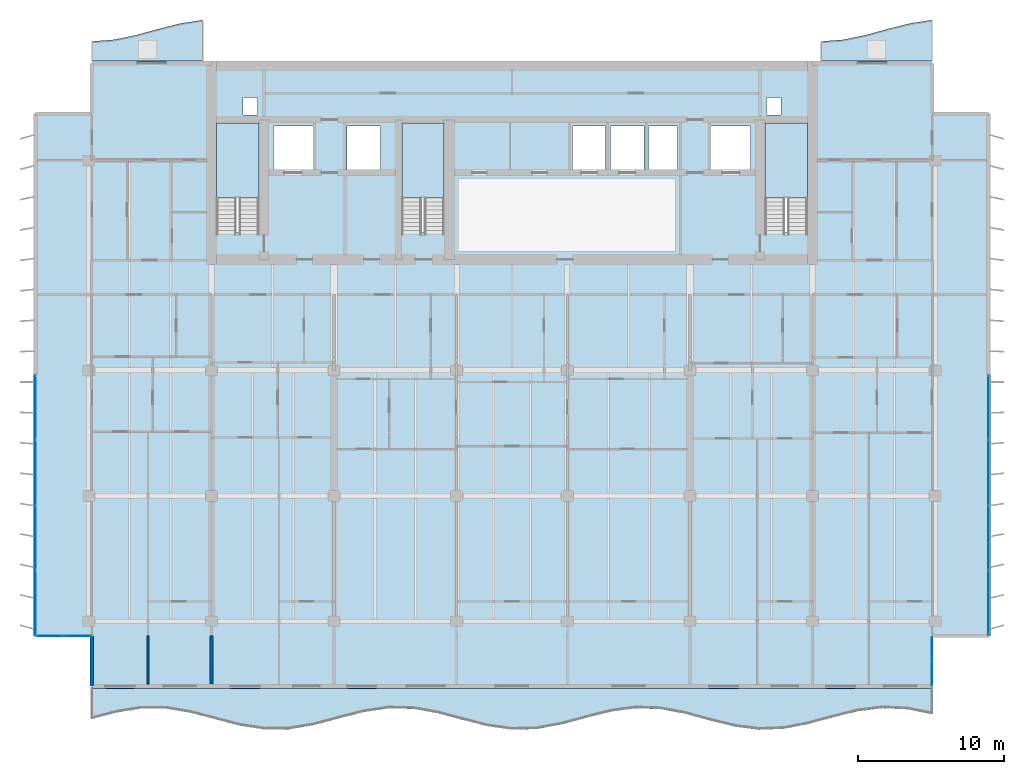
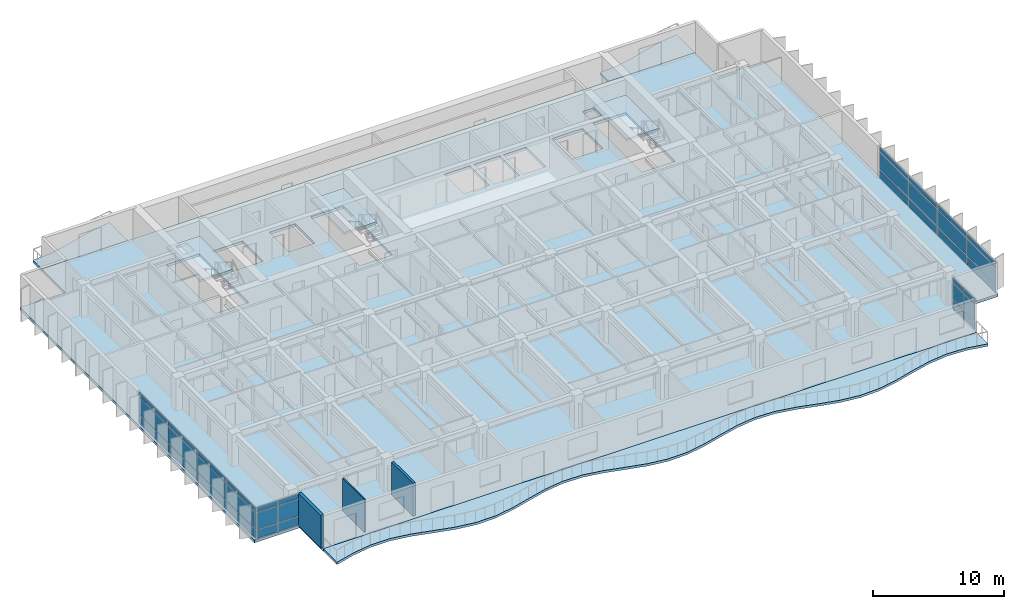
# One storey, part 7 of 18: 36 plates, 7 slabs, 3 walls, 7 elements without a shape of their own.
"""IFC4 building model written with IfcOpenShell, lengths in metres."""

from ifc_helpers import new_model, si_unit, direction, frame, frame_2d, origin, origin_2d, place, context, subcontext, project, spatial, polyline, rectangle, outline, extrude, material, layer, layer_set, type_object, element, aggregate, save


model = new_model("IFC4")

# Units and contexts
model_context = context("Model", 3, precision=1e-05, world=origin(), true_north=direction((0.0, 1.0)))
body_context = subcontext(model_context, "Body", "Model", "MODEL_VIEW")
ifc_project = project(units=[si_unit("LENGTHUNIT", "METRE"), si_unit("AREAUNIT", "SQUARE_METRE"), si_unit("VOLUMEUNIT", "CUBIC_METRE"), si_unit("PLANEANGLEUNIT", "RADIAN"), si_unit("MASSUNIT", "GRAM", prefix="KILO")], contexts=[model_context])

# Site, building, storey
site_placement = place(None, origin())
site = spatial("IfcSite", under=ifc_project, at=site_placement, CompositionType="ELEMENT")
building_placement = place(site_placement, origin())
building = spatial("IfcBuilding", under=site, at=building_placement, Name="Caelmar Bay Residences", CompositionType="ELEMENT")
storey_placement = place(building_placement, frame((0.0, 0.0, 173.699951171875)))
storey = spatial("IfcBuildingStorey", under=building, at=storey_placement, Name="L48", CompositionType="ELEMENT", Elevation=173.699951171875)

# Curtain wall, plates
ifc_material_1 = material(Name="Anodised bronze aluminium 6063-T6 and laminated glass", Category="aluminium")
ifc_layer_1 = layer(ifc_material_1, 0.179931640625)
ifc_layer_set_1 = layer_set([ifc_layer_1], Name="Anodised bronze aluminium 6063-T6 and laminated glass")
curtain_wall_type_1 = type_object("IfcCurtainWallType", Name="CW6-NTC", PredefinedType="NOTDEFINED", material=ifc_layer_set_1)
curtain_wall_1_placement = place(storey_placement, origin())
curtain_wall_1 = element("IfcCurtainWall", 1, at=curtain_wall_1_placement, inside=storey, type_object=curtain_wall_type_1, Name="CW6 curtain wall L48", PredefinedType="NOTDEFINED")
ifc_material_2 = material(Name="Bronze-tinted laminated low-E hurricane glass 28 mm", Category="glass")
ifc_layer_2 = layer(ifc_material_2, 0.028076171875)
ifc_layer_set_2 = layer_set([ifc_layer_2], Name="Bronze-tinted laminated low-E hurricane glass 28 mm")
plate_type = type_object("IfcPlateType", Name="CWP-GLZ28", PredefinedType="CURTAIN_PANEL", material=ifc_layer_set_2)
plate_1_placement = place(storey_placement, frame((7.232421875, 11.199951171875, 0.080078125), z_axis=(0.0, 0.0, 1.0), x_axis=(1.0, 0.0, 0.0)))
plate_1 = element("IfcPlate", 2, at=plate_1_placement, type_object=plate_type, Name="CW6 panel 1.1", PredefinedType="CURTAIN_PANEL", context=body_context, shape_type="SweptSolid", body=[
    extrude(rectangle(XDim=1.804931640625, YDim=0.028076171875, at=origin_2d()), origin(), (0.0, 0.0, 1.0), 0.780029296875),
])
plate_2_placement = place(storey_placement, frame((7.232421875, 11.199951171875, 0.93994140625), z_axis=(0.0, 0.0, 1.0), x_axis=(1.0, 0.0, 0.0)))
plate_2 = element("IfcPlate", 3, at=plate_2_placement, type_object=plate_type, Name="CW6 panel 1.2", PredefinedType="CURTAIN_PANEL", context=body_context, shape_type="SweptSolid", body=[
    extrude(rectangle(XDim=1.804931640625, YDim=0.028076171875, at=origin_2d()), origin(), (0.0, 0.0, 1.0), 1.52001953125),
])
plate_3_placement = place(storey_placement, frame((7.232421875, 11.199951171875, 2.5400390625), z_axis=(0.0, 0.0, 1.0), x_axis=(1.0, 0.0, 0.0)))
plate_3 = element("IfcPlate", 4, at=plate_3_placement, type_object=plate_type, Name="CW6 panel 1.3", PredefinedType="CURTAIN_PANEL", context=body_context, shape_type="SweptSolid", body=[
    extrude(rectangle(XDim=1.804931640625, YDim=0.028076171875, at=origin_2d()), origin(), (0.0, 0.0, 1.0), 0.429931640625),
])
plate_4_placement = place(storey_placement, frame((9.117431640625, 11.199951171875, 0.080078125), z_axis=(0.0, 0.0, 1.0), x_axis=(1.0, 0.0, 0.0)))
plate_4 = element("IfcPlate", 5, at=plate_4_placement, type_object=plate_type, Name="CW6 panel 2.1", PredefinedType="CURTAIN_PANEL", context=body_context, shape_type="SweptSolid", body=[
    extrude(rectangle(XDim=1.804931640625, YDim=0.028076171875, at=origin_2d()), origin(), (0.0, 0.0, 1.0), 0.780029296875),
])
plate_5_placement = place(storey_placement, frame((9.117431640625, 11.199951171875, 0.93994140625), z_axis=(0.0, 0.0, 1.0), x_axis=(1.0, 0.0, 0.0)))
plate_5 = element("IfcPlate", 6, at=plate_5_placement, type_object=plate_type, Name="CW6 panel 2.2", PredefinedType="CURTAIN_PANEL", context=body_context, shape_type="SweptSolid", body=[
    extrude(rectangle(XDim=1.804931640625, YDim=0.028076171875, at=origin_2d()), origin(), (0.0, 0.0, 1.0), 1.52001953125),
])
plate_6_placement = place(storey_placement, frame((9.117431640625, 11.199951171875, 2.5400390625), z_axis=(0.0, 0.0, 1.0), x_axis=(1.0, 0.0, 0.0)))
plate_6 = element("IfcPlate", 7, at=plate_6_placement, type_object=plate_type, Name="CW6 panel 2.3", PredefinedType="CURTAIN_PANEL", context=body_context, shape_type="SweptSolid", body=[
    extrude(rectangle(XDim=1.804931640625, YDim=0.028076171875, at=origin_2d()), origin(), (0.0, 0.0, 1.0), 0.429931640625),
])
aggregate(curtain_wall_1, [plate_1, plate_2, plate_3, plate_4, plate_5, plate_6])

curtain_wall_2_placement = place(storey_placement, origin())
curtain_wall_2 = element("IfcCurtainWall", 8, at=curtain_wall_2_placement, inside=storey, type_object=curtain_wall_type_1, Name="CW6 curtain wall L48", PredefinedType="NOTDEFINED")
plate_7_placement = place(storey_placement, frame((67.699951171875, 8.632568359375, 0.080078125), z_axis=(0.0, 0.0, 1.0), x_axis=(0.0, 1.0, 0.0)))
plate_7 = element("IfcPlate", 9, at=plate_7_placement, type_object=plate_type, Name="CW6 panel 1.1", PredefinedType="CURTAIN_PANEL", context=body_context, shape_type="SweptSolid", body=[
    extrude(rectangle(XDim=1.60498046875, YDim=0.028076171875, at=origin_2d()), origin(), (0.0, 0.0, 1.0), 0.780029296875),
])
plate_8_placement = place(storey_placement, frame((67.699951171875, 8.632568359375, 0.93994140625), z_axis=(0.0, 0.0, 1.0), x_axis=(0.0, 1.0, 0.0)))
plate_8 = element("IfcPlate", 10, at=plate_8_placement, type_object=plate_type, Name="CW6 panel 1.2", PredefinedType="CURTAIN_PANEL", context=body_context, shape_type="SweptSolid", body=[
    extrude(rectangle(XDim=1.60498046875, YDim=0.028076171875, at=origin_2d()), origin(), (0.0, 0.0, 1.0), 1.52001953125),
])
plate_9_placement = place(storey_placement, frame((67.699951171875, 8.632568359375, 2.5400390625), z_axis=(0.0, 0.0, 1.0), x_axis=(0.0, 1.0, 0.0)))
plate_9 = element("IfcPlate", 11, at=plate_9_placement, type_object=plate_type, Name="CW6 panel 1.3", PredefinedType="CURTAIN_PANEL", context=body_context, shape_type="SweptSolid", body=[
    extrude(rectangle(XDim=1.60498046875, YDim=0.028076171875, at=origin_2d()), origin(), (0.0, 0.0, 1.0), 0.429931640625),
])
plate_10_placement = place(storey_placement, frame((67.699951171875, 10.3173828125, 0.080078125), z_axis=(0.0, 0.0, 1.0), x_axis=(0.0, 1.0, 0.0)))
plate_10 = element("IfcPlate", 12, at=plate_10_placement, type_object=plate_type, Name="CW6 panel 2.1", PredefinedType="CURTAIN_PANEL", context=body_context, shape_type="SweptSolid", body=[
    extrude(rectangle(XDim=1.60498046875, YDim=0.028076171875, at=origin_2d()), origin(), (0.0, 0.0, 1.0), 0.780029296875),
])
plate_11_placement = place(storey_placement, frame((67.699951171875, 10.3173828125, 0.93994140625), z_axis=(0.0, 0.0, 1.0), x_axis=(0.0, 1.0, 0.0)))
plate_11 = element("IfcPlate", 13, at=plate_11_placement, type_object=plate_type, Name="CW6 panel 2.2", PredefinedType="CURTAIN_PANEL", context=body_context, shape_type="SweptSolid", body=[
    extrude(rectangle(XDim=1.60498046875, YDim=0.028076171875, at=origin_2d()), origin(), (0.0, 0.0, 1.0), 1.52001953125),
])
plate_12_placement = place(storey_placement, frame((67.699951171875, 10.3173828125, 2.5400390625), z_axis=(0.0, 0.0, 1.0), x_axis=(0.0, 1.0, 0.0)))
plate_12 = element("IfcPlate", 14, at=plate_12_placement, type_object=plate_type, Name="CW6 panel 2.3", PredefinedType="CURTAIN_PANEL", context=body_context, shape_type="SweptSolid", body=[
    extrude(rectangle(XDim=1.60498046875, YDim=0.028076171875, at=origin_2d()), origin(), (0.0, 0.0, 1.0), 0.429931640625),
])
aggregate(curtain_wall_2, [plate_7, plate_8, plate_9, plate_10, plate_11, plate_12])

ifc_layer_3 = layer(ifc_material_1, 0.179931640625)
ifc_layer_set_3 = layer_set([ifc_layer_3], Name="Anodised bronze aluminium 6063-T6 and laminated glass")
curtain_wall_type_2 = type_object("IfcCurtainWallType", Name="CW4-Z3", PredefinedType="NOTDEFINED", material=ifc_layer_set_3)
curtain_wall_3_placement = place(storey_placement, origin())
curtain_wall_3 = element("IfcCurtainWall", 15, at=curtain_wall_3_placement, inside=storey, type_object=curtain_wall_type_2, Name="CW4 curtain wall L48", PredefinedType="NOTDEFINED")
plate_13_placement = place(storey_placement, frame((6.25, 13.45751953125, 0.080078125), z_axis=(0.0, 0.0, 1.0), x_axis=(0.0, 1.0, 0.0)))
plate_13 = element("IfcPlate", 16, at=plate_13_placement, type_object=plate_type, Name="CW4 panel 1.1", PredefinedType="CURTAIN_PANEL", context=body_context, shape_type="SweptSolid", body=[
    extrude(rectangle(XDim=4.35498046875, YDim=0.028076171875, at=origin_2d()), origin(), (0.0, 0.0, 1.0), 0.780029296875),
])
plate_14_placement = place(storey_placement, frame((6.25, 13.45751953125, 0.93994140625), z_axis=(0.0, 0.0, 1.0), x_axis=(0.0, 1.0, 0.0)))
plate_14 = element("IfcPlate", 17, at=plate_14_placement, type_object=plate_type, Name="CW4 panel 1.2", PredefinedType="CURTAIN_PANEL", context=body_context, shape_type="SweptSolid", body=[
    extrude(rectangle(XDim=4.35498046875, YDim=0.028076171875, at=origin_2d()), origin(), (0.0, 0.0, 1.0), 1.52001953125),
])
plate_15_placement = place(storey_placement, frame((6.25, 13.45751953125, 2.5400390625), z_axis=(0.0, 0.0, 1.0), x_axis=(0.0, 1.0, 0.0)))
plate_15 = element("IfcPlate", 18, at=plate_15_placement, type_object=plate_type, Name="CW4 panel 1.3", PredefinedType="CURTAIN_PANEL", context=body_context, shape_type="SweptSolid", body=[
    extrude(rectangle(XDim=4.35498046875, YDim=0.028076171875, at=origin_2d()), origin(), (0.0, 0.0, 1.0), 0.429931640625),
])
plate_16_placement = place(storey_placement, frame((6.25, 17.91259765625, 0.080078125), z_axis=(0.0, 0.0, 1.0), x_axis=(0.0, 1.0, 0.0)))
plate_16 = element("IfcPlate", 19, at=plate_16_placement, type_object=plate_type, Name="CW4 panel 2.1", PredefinedType="CURTAIN_PANEL", context=body_context, shape_type="SweptSolid", body=[
    extrude(rectangle(XDim=4.39501953125, YDim=0.028076171875, at=origin_2d()), origin(), (0.0, 0.0, 1.0), 0.780029296875),
])
plate_17_placement = place(storey_placement, frame((6.25, 17.91259765625, 0.93994140625), z_axis=(0.0, 0.0, 1.0), x_axis=(0.0, 1.0, 0.0)))
plate_17 = element("IfcPlate", 20, at=plate_17_placement, type_object=plate_type, Name="CW4 panel 2.2", PredefinedType="CURTAIN_PANEL", context=body_context, shape_type="SweptSolid", body=[
    extrude(rectangle(XDim=4.39501953125, YDim=0.028076171875, at=origin_2d()), origin(), (0.0, 0.0, 1.0), 1.52001953125),
])
plate_18_placement = place(storey_placement, frame((6.25, 17.91259765625, 2.5400390625), z_axis=(0.0, 0.0, 1.0), x_axis=(0.0, 1.0, 0.0)))
plate_18 = element("IfcPlate", 21, at=plate_18_placement, type_object=plate_type, Name="CW4 panel 2.3", PredefinedType="CURTAIN_PANEL", context=body_context, shape_type="SweptSolid", body=[
    extrude(rectangle(XDim=4.39501953125, YDim=0.028076171875, at=origin_2d()), origin(), (0.0, 0.0, 1.0), 0.429931640625),
])
plate_19_placement = place(storey_placement, frame((6.25, 22.387451171875, 0.080078125), z_axis=(0.0, 0.0, 1.0), x_axis=(0.0, 1.0, 0.0)))
plate_19 = element("IfcPlate", 22, at=plate_19_placement, type_object=plate_type, Name="CW4 panel 3.1", PredefinedType="CURTAIN_PANEL", context=body_context, shape_type="SweptSolid", body=[
    extrude(rectangle(XDim=4.39501953125, YDim=0.028076171875, at=origin_2d()), origin(), (0.0, 0.0, 1.0), 0.780029296875),
])
plate_20_placement = place(storey_placement, frame((6.25, 22.387451171875, 0.93994140625), z_axis=(0.0, 0.0, 1.0), x_axis=(0.0, 1.0, 0.0)))
plate_20 = element("IfcPlate", 23, at=plate_20_placement, type_object=plate_type, Name="CW4 panel 3.2", PredefinedType="CURTAIN_PANEL", context=body_context, shape_type="SweptSolid", body=[
    extrude(rectangle(XDim=4.39501953125, YDim=0.028076171875, at=origin_2d()), origin(), (0.0, 0.0, 1.0), 1.52001953125),
])
plate_21_placement = place(storey_placement, frame((6.25, 22.387451171875, 2.5400390625), z_axis=(0.0, 0.0, 1.0), x_axis=(0.0, 1.0, 0.0)))
plate_21 = element("IfcPlate", 24, at=plate_21_placement, type_object=plate_type, Name="CW4 panel 3.3", PredefinedType="CURTAIN_PANEL", context=body_context, shape_type="SweptSolid", body=[
    extrude(rectangle(XDim=4.39501953125, YDim=0.028076171875, at=origin_2d()), origin(), (0.0, 0.0, 1.0), 0.429931640625),
])
plate_22_placement = place(storey_placement, frame((6.25, 26.842529296875, 0.080078125), z_axis=(0.0, 0.0, 1.0), x_axis=(0.0, 1.0, 0.0)))
plate_22 = element("IfcPlate", 25, at=plate_22_placement, type_object=plate_type, Name="CW4 panel 4.1", PredefinedType="CURTAIN_PANEL", context=body_context, shape_type="SweptSolid", body=[
    extrude(rectangle(XDim=4.35498046875, YDim=0.028076171875, at=origin_2d()), origin(), (0.0, 0.0, 1.0), 0.780029296875),
])
plate_23_placement = place(storey_placement, frame((6.25, 26.842529296875, 0.93994140625), z_axis=(0.0, 0.0, 1.0), x_axis=(0.0, 1.0, 0.0)))
plate_23 = element("IfcPlate", 26, at=plate_23_placement, type_object=plate_type, Name="CW4 panel 4.2", PredefinedType="CURTAIN_PANEL", context=body_context, shape_type="SweptSolid", body=[
    extrude(rectangle(XDim=4.35498046875, YDim=0.028076171875, at=origin_2d()), origin(), (0.0, 0.0, 1.0), 1.52001953125),
])
plate_24_placement = place(storey_placement, frame((6.25, 26.842529296875, 2.5400390625), z_axis=(0.0, 0.0, 1.0), x_axis=(0.0, 1.0, 0.0)))
plate_24 = element("IfcPlate", 27, at=plate_24_placement, type_object=plate_type, Name="CW4 panel 4.3", PredefinedType="CURTAIN_PANEL", context=body_context, shape_type="SweptSolid", body=[
    extrude(rectangle(XDim=4.35498046875, YDim=0.028076171875, at=origin_2d()), origin(), (0.0, 0.0, 1.0), 0.429931640625),
])
aggregate(curtain_wall_3, [plate_13, plate_14, plate_15, plate_16, plate_17, plate_18, plate_19, plate_20, plate_21, plate_22, plate_23, plate_24])

curtain_wall_4_placement = place(storey_placement, origin())
curtain_wall_4 = element("IfcCurtainWall", 28, at=curtain_wall_4_placement, inside=storey, type_object=curtain_wall_type_2, Name="CW4 curtain wall L48", PredefinedType="NOTDEFINED")
plate_25_placement = place(storey_placement, frame((71.550048828125, 26.842529296875, 0.080078125), z_axis=(0.0, 0.0, 1.0), x_axis=(0.0, -1.0, 0.0)))
plate_25 = element("IfcPlate", 29, at=plate_25_placement, type_object=plate_type, Name="CW4 panel 1.1", PredefinedType="CURTAIN_PANEL", context=body_context, shape_type="SweptSolid", body=[
    extrude(rectangle(XDim=4.35498046875, YDim=0.028076171875, at=origin_2d()), origin(), (0.0, 0.0, 1.0), 0.780029296875),
])
plate_26_placement = place(storey_placement, frame((71.550048828125, 26.842529296875, 0.93994140625), z_axis=(0.0, 0.0, 1.0), x_axis=(0.0, -1.0, 0.0)))
plate_26 = element("IfcPlate", 30, at=plate_26_placement, type_object=plate_type, Name="CW4 panel 1.2", PredefinedType="CURTAIN_PANEL", context=body_context, shape_type="SweptSolid", body=[
    extrude(rectangle(XDim=4.35498046875, YDim=0.028076171875, at=origin_2d()), origin(), (0.0, 0.0, 1.0), 1.52001953125),
])
plate_27_placement = place(storey_placement, frame((71.550048828125, 26.842529296875, 2.5400390625), z_axis=(0.0, 0.0, 1.0), x_axis=(0.0, -1.0, 0.0)))
plate_27 = element("IfcPlate", 31, at=plate_27_placement, type_object=plate_type, Name="CW4 panel 1.3", PredefinedType="CURTAIN_PANEL", context=body_context, shape_type="SweptSolid", body=[
    extrude(rectangle(XDim=4.35498046875, YDim=0.028076171875, at=origin_2d()), origin(), (0.0, 0.0, 1.0), 0.429931640625),
])
plate_28_placement = place(storey_placement, frame((71.550048828125, 22.387451171875, 0.080078125), z_axis=(0.0, 0.0, 1.0), x_axis=(0.0, -1.0, 0.0)))
plate_28 = element("IfcPlate", 32, at=plate_28_placement, type_object=plate_type, Name="CW4 panel 2.1", PredefinedType="CURTAIN_PANEL", context=body_context, shape_type="SweptSolid", body=[
    extrude(rectangle(XDim=4.39501953125, YDim=0.028076171875, at=origin_2d()), origin(), (0.0, 0.0, 1.0), 0.780029296875),
])
plate_29_placement = place(storey_placement, frame((71.550048828125, 22.387451171875, 0.93994140625), z_axis=(0.0, 0.0, 1.0), x_axis=(0.0, -1.0, 0.0)))
plate_29 = element("IfcPlate", 33, at=plate_29_placement, type_object=plate_type, Name="CW4 panel 2.2", PredefinedType="CURTAIN_PANEL", context=body_context, shape_type="SweptSolid", body=[
    extrude(rectangle(XDim=4.39501953125, YDim=0.028076171875, at=origin_2d()), origin(), (0.0, 0.0, 1.0), 1.52001953125),
])
plate_30_placement = place(storey_placement, frame((71.550048828125, 22.387451171875, 2.5400390625), z_axis=(0.0, 0.0, 1.0), x_axis=(0.0, -1.0, 0.0)))
plate_30 = element("IfcPlate", 34, at=plate_30_placement, type_object=plate_type, Name="CW4 panel 2.3", PredefinedType="CURTAIN_PANEL", context=body_context, shape_type="SweptSolid", body=[
    extrude(rectangle(XDim=4.39501953125, YDim=0.028076171875, at=origin_2d()), origin(), (0.0, 0.0, 1.0), 0.429931640625),
])
plate_31_placement = place(storey_placement, frame((71.550048828125, 17.91259765625, 0.080078125), z_axis=(0.0, 0.0, 1.0), x_axis=(0.0, -1.0, 0.0)))
plate_31 = element("IfcPlate", 35, at=plate_31_placement, type_object=plate_type, Name="CW4 panel 3.1", PredefinedType="CURTAIN_PANEL", context=body_context, shape_type="SweptSolid", body=[
    extrude(rectangle(XDim=4.39501953125, YDim=0.028076171875, at=origin_2d()), origin(), (0.0, 0.0, 1.0), 0.780029296875),
])
plate_32_placement = place(storey_placement, frame((71.550048828125, 17.91259765625, 0.93994140625), z_axis=(0.0, 0.0, 1.0), x_axis=(0.0, -1.0, 0.0)))
plate_32 = element("IfcPlate", 36, at=plate_32_placement, type_object=plate_type, Name="CW4 panel 3.2", PredefinedType="CURTAIN_PANEL", context=body_context, shape_type="SweptSolid", body=[
    extrude(rectangle(XDim=4.39501953125, YDim=0.028076171875, at=origin_2d()), origin(), (0.0, 0.0, 1.0), 1.52001953125),
])
plate_33_placement = place(storey_placement, frame((71.550048828125, 17.91259765625, 2.5400390625), z_axis=(0.0, 0.0, 1.0), x_axis=(0.0, -1.0, 0.0)))
plate_33 = element("IfcPlate", 37, at=plate_33_placement, type_object=plate_type, Name="CW4 panel 3.3", PredefinedType="CURTAIN_PANEL", context=body_context, shape_type="SweptSolid", body=[
    extrude(rectangle(XDim=4.39501953125, YDim=0.028076171875, at=origin_2d()), origin(), (0.0, 0.0, 1.0), 0.429931640625),
])
plate_34_placement = place(storey_placement, frame((71.550048828125, 13.45751953125, 0.080078125), z_axis=(0.0, 0.0, 1.0), x_axis=(0.0, -1.0, 0.0)))
plate_34 = element("IfcPlate", 38, at=plate_34_placement, type_object=plate_type, Name="CW4 panel 4.1", PredefinedType="CURTAIN_PANEL", context=body_context, shape_type="SweptSolid", body=[
    extrude(rectangle(XDim=4.35498046875, YDim=0.028076171875, at=origin_2d()), origin(), (0.0, 0.0, 1.0), 0.780029296875),
])
plate_35_placement = place(storey_placement, frame((71.550048828125, 13.45751953125, 0.93994140625), z_axis=(0.0, 0.0, 1.0), x_axis=(0.0, -1.0, 0.0)))
plate_35 = element("IfcPlate", 39, at=plate_35_placement, type_object=plate_type, Name="CW4 panel 4.2", PredefinedType="CURTAIN_PANEL", context=body_context, shape_type="SweptSolid", body=[
    extrude(rectangle(XDim=4.35498046875, YDim=0.028076171875, at=origin_2d()), origin(), (0.0, 0.0, 1.0), 1.52001953125),
])
plate_36_placement = place(storey_placement, frame((71.550048828125, 13.45751953125, 2.5400390625), z_axis=(0.0, 0.0, 1.0), x_axis=(0.0, -1.0, 0.0)))
plate_36 = element("IfcPlate", 40, at=plate_36_placement, type_object=plate_type, Name="CW4 panel 4.3", PredefinedType="CURTAIN_PANEL", context=body_context, shape_type="SweptSolid", body=[
    extrude(rectangle(XDim=4.35498046875, YDim=0.028076171875, at=origin_2d()), origin(), (0.0, 0.0, 1.0), 0.429931640625),
])
aggregate(curtain_wall_4, [plate_25, plate_26, plate_27, plate_28, plate_29, plate_30, plate_31, plate_32, plate_33, plate_34, plate_35, plate_36])

# Slabs
ifc_material_3 = material(Name="Concrete f'c 40 MPa (6,000 psi)", Category="concrete")
ifc_layer_4 = layer(ifc_material_3, 0.219970703125)
ifc_layer_set_4 = layer_set([ifc_layer_4], Name="Concrete f'c 40 MPa (6,000 psi)")
slab_type_1 = type_object("IfcSlabType", Name="SLB-BAL-220", PredefinedType="FLOOR", material=ifc_layer_set_4)
slab_1_placement = place(storey_placement, frame((0.0, 0.0, -0.219970703125)))
element("IfcSlab", 41, at=slab_1_placement, inside=storey, type_object=slab_type_1, Name="L48 Sinusoidal Tree-Balcony Slab south", PredefinedType="FLOOR", context=body_context, shape_type="SweptSolid", body=[
    extrude(outline(polyline([(10.10009765625, 5.5), (11.794189453125, 5.944091796875), (13.48828125, 6.2158203125), (15.182373046875, 6.20947265625), (16.87646484375, 5.927978515625), (18.570556640625, 5.480224609375), (20.2646484375, 5.040283203125), (21.958740234375, 4.778564453125), (23.65283203125, 4.797119140625), (25.34716796875, 5.08837890625), (27.041259765625, 5.53955078125), (28.7353515625, 5.975341796875), (30.429443359375, 6.2265625), (32.12353515625, 6.19580078125), (33.817626953125, 5.894775390625), (35.51171875, 5.440673828125), (37.205810546875, 5.009521484375), (38.89990234375, 4.768798828125), (40.593994140625, 4.81201171875), (42.2880859375, 5.1220703125), (43.982421875, 5.5791015625), (45.676513671875, 6.00537109375), (47.37060546875, 6.2353515625), (49.064697265625, 6.179931640625), (50.7587890625, 5.860595703125), (52.452880859375, 5.4013671875), (54.147216796875, 4.980224609375), (55.84130859375, 4.760986328125), (57.535400390625, 4.82861328125), (59.2294921875, 5.156982421875), (60.923583984375, 5.618408203125), (62.61767578125, 6.03369140625), (64.311767578125, 6.2421875), (66.005859375, 6.162353515625), (67.699951171875, 5.825439453125), (67.699951171875, 7.60009765625), (10.10009765625, 7.60009765625), (10.10009765625, 5.5)])), origin(), (0.0, 0.0, 1.0), 0.219970703125),
])
slab_2_placement = place(storey_placement, frame((0.0, 0.0, -0.219970703125)))
element("IfcSlab", 42, at=slab_2_placement, inside=storey, type_object=slab_type_1, Name="L48 Sinusoidal Tree-Balcony Slab north_west", PredefinedType="FLOOR", context=body_context, shape_type="SweptSolid", body=[
    extrude(outline(polyline([(10.10009765625, 50.60009765625), (17.699951171875, 50.60009765625), (17.699951171875, 53.416748046875), (16.179931640625, 53.184814453125), (14.659912109375, 52.80078125), (13.139892578125, 52.384765625), (11.6201171875, 52.068115234375), (10.10009765625, 51.949951171875), (10.10009765625, 50.60009765625)])), origin(), (0.0, 0.0, 1.0), 0.219970703125),
])
slab_3_placement = place(storey_placement, frame((0.0, 0.0, -0.219970703125)))
element("IfcSlab", 43, at=slab_3_placement, inside=storey, type_object=slab_type_1, Name="L48 Sinusoidal Tree-Balcony Slab north_east", PredefinedType="FLOOR", context=body_context, shape_type="SweptSolid", body=[
    extrude(outline(polyline([(60.10009765625, 50.60009765625), (67.699951171875, 50.60009765625), (67.699951171875, 53.416748046875), (66.179931640625, 53.184814453125), (64.659912109375, 52.80078125), (63.139892578125, 52.384765625), (61.6201171875, 52.068115234375), (60.10009765625, 51.949951171875), (60.10009765625, 50.60009765625)])), origin(), (0.0, 0.0, 1.0), 0.219970703125),
])

# Stair, slab
stair_type = type_object("IfcStairType", Name="ST-TYP-165", PredefinedType="HALF_TURN_STAIR", material=ifc_material_3)
stair_1_placement = place(storey_placement, origin())
stair_1 = element("IfcStair", 44, at=stair_1_placement, inside=storey, type_object=stair_type, Name="L48 West Smokeproof Exit Stair ST1", PredefinedType="HALF_TURN_STAIR")
ifc_layer_5 = layer(ifc_material_3, 0.199951171875)
ifc_layer_set_5 = layer_set([ifc_layer_5], Name="Concrete f'c 40 MPa (6,000 psi)")
slab_type_2 = type_object("IfcSlabType", Name="SLB-LND-200", PredefinedType="LANDING", material=ifc_layer_set_5)
slab_4_placement = place(storey_placement, frame((0.0, 0.0, 1.449951171875)))
slab_4 = element("IfcSlab", 45, at=slab_4_placement, type_object=slab_type_2, Name="ST1 landing 1", PredefinedType="LANDING", context=body_context, shape_type="SweptSolid", body=[
    extrude(outline(polyline([(21.550048828125, 41.219970703125), (21.550048828125, 46.35009765625), (18.64990234375, 46.35009765625), (18.64990234375, 41.219970703125), (21.550048828125, 41.219970703125)])), origin(), (0.0, 0.0, 1.0), 0.2001953125),
])
aggregate(stair_1, [slab_4])

stair_2_placement = place(storey_placement, origin())
stair_2 = element("IfcStair", 46, at=stair_2_placement, inside=storey, type_object=stair_type, Name="L48 East Smokeproof Exit Stair ST2", PredefinedType="HALF_TURN_STAIR")
slab_5_placement = place(storey_placement, frame((0.0, 0.0, 1.449951171875)))
slab_5 = element("IfcSlab", 47, at=slab_5_placement, type_object=slab_type_2, Name="ST2 landing 1", PredefinedType="LANDING", context=body_context, shape_type="SweptSolid", body=[
    extrude(outline(polyline([(59.14990234375, 41.219970703125), (59.14990234375, 46.35009765625), (56.25, 46.35009765625), (56.25, 41.219970703125), (59.14990234375, 41.219970703125)])), origin(), (0.0, 0.0, 1.0), 0.2001953125),
])
aggregate(stair_2, [slab_5])

stair_3_placement = place(storey_placement, origin())
stair_3 = element("IfcStair", 48, at=stair_3_placement, inside=storey, type_object=stair_type, Name="L48 Central Smokeproof Exit Stair ST3", PredefinedType="HALF_TURN_STAIR")
slab_6_placement = place(storey_placement, frame((0.0, 0.0, 1.449951171875)))
slab_6 = element("IfcSlab", 49, at=slab_6_placement, type_object=slab_type_2, Name="ST3 landing 1", PredefinedType="LANDING", context=body_context, shape_type="SweptSolid", body=[
    extrude(outline(polyline([(34.25, 41.219970703125), (34.25, 46.35009765625), (31.35009765625, 46.35009765625), (31.35009765625, 41.219970703125), (34.25, 41.219970703125)])), origin(), (0.0, 0.0, 1.0), 0.2001953125),
])
aggregate(stair_3, [slab_6])

# Slab
ifc_layer_6 = layer(ifc_material_3, 0.25)
ifc_layer_set_6 = layer_set([ifc_layer_6], Name="Concrete f'c 40 MPa (6,000 psi)")
slab_type_3 = type_object("IfcSlabType", Name="SLB-RES-250", PredefinedType="FLOOR", material=ifc_layer_set_6)
slab_7_placement = place(storey_placement, frame((0.0, 0.0, -0.25)))
element("IfcSlab", 50, at=slab_7_placement, inside=storey, type_object=slab_type_3, Name="L48 Structural Floor Slab", PredefinedType="FLOOR", context=body_context, shape_type="SweptSolid", body=[
    extrude(outline(polyline([(10.10009765625, 7.60009765625), (67.699951171875, 7.60009765625), (67.699951171875, 11.199951171875), (71.699951171875, 11.199951171875), (71.699951171875, 47.0), (67.699951171875, 47.0), (67.699951171875, 50.60009765625), (10.10009765625, 50.60009765625), (10.10009765625, 47.0), (6.10009765625, 47.0), (6.10009765625, 11.199951171875), (10.10009765625, 11.199951171875), (10.10009765625, 7.60009765625)]), holes=[polyline([(18.64990234375, 38.85009765625), (21.550048828125, 38.85009765625), (21.550048828125, 46.35009765625), (18.64990234375, 46.35009765625), (18.64990234375, 38.85009765625)]), polyline([(56.25, 38.85009765625), (59.14990234375, 38.85009765625), (59.14990234375, 46.35009765625), (56.25, 46.35009765625), (56.25, 38.85009765625)]), polyline([(31.35009765625, 38.85009765625), (34.25, 38.85009765625), (34.25, 46.35009765625), (31.35009765625, 46.35009765625), (31.35009765625, 38.85009765625)]), polyline([(22.550048828125, 43.050048828125), (25.25, 43.050048828125), (25.25, 46.14990234375), (22.550048828125, 46.14990234375), (22.550048828125, 43.050048828125)]), polyline([(52.550048828125, 43.050048828125), (55.25, 43.050048828125), (55.25, 46.14990234375), (52.550048828125, 46.14990234375), (52.550048828125, 43.050048828125)]), polyline([(43.050048828125, 43.14990234375), (45.300048828125, 43.14990234375), (45.300048828125, 46.14990234375), (43.050048828125, 46.14990234375), (43.050048828125, 43.14990234375)]), polyline([(45.64990234375, 43.14990234375), (47.949951171875, 43.14990234375), (47.949951171875, 46.14990234375), (45.64990234375, 46.14990234375), (45.64990234375, 43.14990234375)]), polyline([(48.25, 43.14990234375), (50.25, 43.14990234375), (50.25, 46.14990234375), (48.25, 46.14990234375), (48.25, 43.14990234375)]), polyline([(27.60009765625, 43.14990234375), (29.89990234375, 43.14990234375), (29.89990234375, 46.14990234375), (27.60009765625, 46.14990234375), (27.60009765625, 43.14990234375)]), polyline([(20.449951171875, 46.89990234375), (21.449951171875, 46.89990234375), (21.449951171875, 48.10009765625), (20.449951171875, 48.10009765625), (20.449951171875, 46.89990234375)]), polyline([(56.35009765625, 46.89990234375), (57.35009765625, 46.89990234375), (57.35009765625, 48.10009765625), (56.35009765625, 48.10009765625), (56.35009765625, 46.89990234375)])]), origin(), (0.0, 0.0, 1.0), 0.25),
])

# Walls
ifc_material_4 = material(Name="Precast concrete f'c 40 MPa (6,000 psi)", Category="concrete")
ifc_layer_7 = layer(ifc_material_4, 0.25)
ifc_layer_set_7 = layer_set([ifc_layer_7], Name="Precast concrete f'c 40 MPa (6,000 psi)")
wall_type_1 = type_object("IfcWallType", Name="W-EXT-250", PredefinedType="ELEMENTEDWALL", material=ifc_layer_set_7)
wall_1_placement = place(storey_placement, frame((10.10009765625, 11.199951171875, 0.0), z_axis=(0.0, 0.0, 1.0), x_axis=(0.0, -1.0, 0.0)))
element("IfcWall", 51, at=wall_1_placement, inside=storey, type_object=wall_type_1, Name="L48 SW Notch Return Wall", PredefinedType="ELEMENTEDWALL", context=body_context, shape_type="SweptSolid", body=[
    extrude(rectangle(XDim=3.449951171875, YDim=0.25, at=frame_2d((1.72509765625, 0.0))), origin(), (0.0, 0.0, 1.0), 3.050048828125),
])
ifc_material_5 = material(Name="Acoustic metal-stud gypsum partition 120 mm")
ifc_layer_8 = layer(ifc_material_5, 0.1201171875)
ifc_layer_set_8 = layer_set([ifc_layer_8], Name="Acoustic metal-stud gypsum partition 120 mm")
wall_type_2 = type_object("IfcWallType", Name="W-PRT-120", PredefinedType="PARTITIONING", material=ifc_layer_set_8)
wall_2_placement = place(storey_placement, frame((13.9541015625, 7.89501953125, 0.0), z_axis=(0.0, 0.0, 1.0), x_axis=(0.0, 1.0, 0.0)))
element("IfcWall", 52, at=wall_2_placement, inside=storey, type_object=wall_type_2, Name="L48 Partition Wall V010", PredefinedType="PARTITIONING", context=body_context, shape_type="SweptSolid", body=[
    extrude(rectangle(XDim=3.304931640625, YDim=0.1201171875, at=frame_2d((1.65234375, 0.0))), origin(), (0.0, 0.0, 1.0), 3.050048828125),
])
ifc_material_6 = material(Name="Acoustic twin-stud fire-rated inter-tenancy partition 200 mm")
ifc_layer_9 = layer(ifc_material_6, 0.199951171875)
ifc_layer_set_9 = layer_set([ifc_layer_9], Name="Acoustic twin-stud fire-rated inter-tenancy partition 200 mm")
wall_type_3 = type_object("IfcWallType", Name="W-PTY-200", PredefinedType="PARTITIONING", material=ifc_layer_set_9)
wall_3_placement = place(storey_placement, frame((18.300048828125, 7.89501953125, 0.0), z_axis=(0.0, 0.0, 1.0), x_axis=(0.0, 1.0, 0.0)))
element("IfcWall", 53, at=wall_3_placement, inside=storey, type_object=wall_type_3, Name="L48 Partition Wall V017", PredefinedType="PARTITIONING", context=body_context, shape_type="SweptSolid", body=[
    extrude(rectangle(XDim=3.304931640625, YDim=0.199951171875, at=frame_2d((1.65234375, 0.0))), origin(), (0.0, 0.0, 1.0), 3.050048828125),
])

save(model, "model.ifc")
